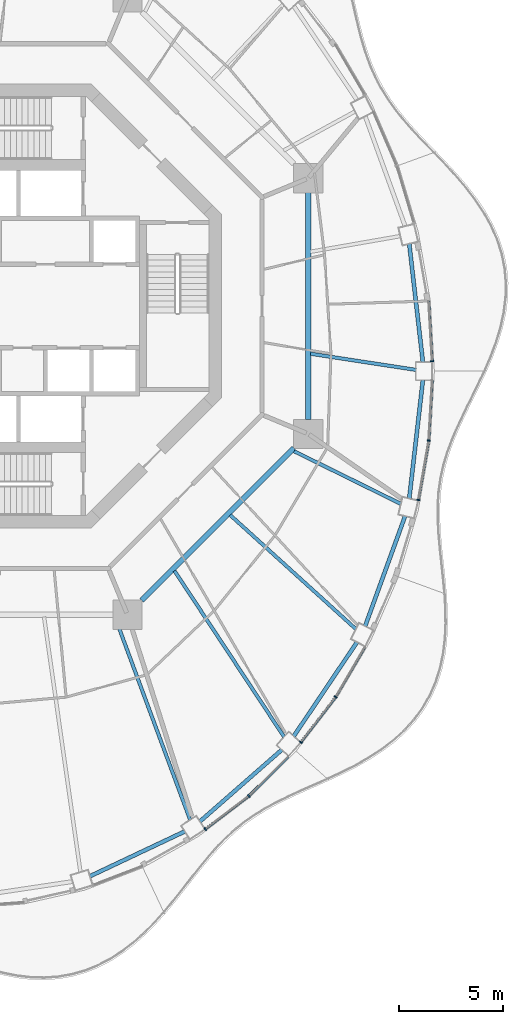
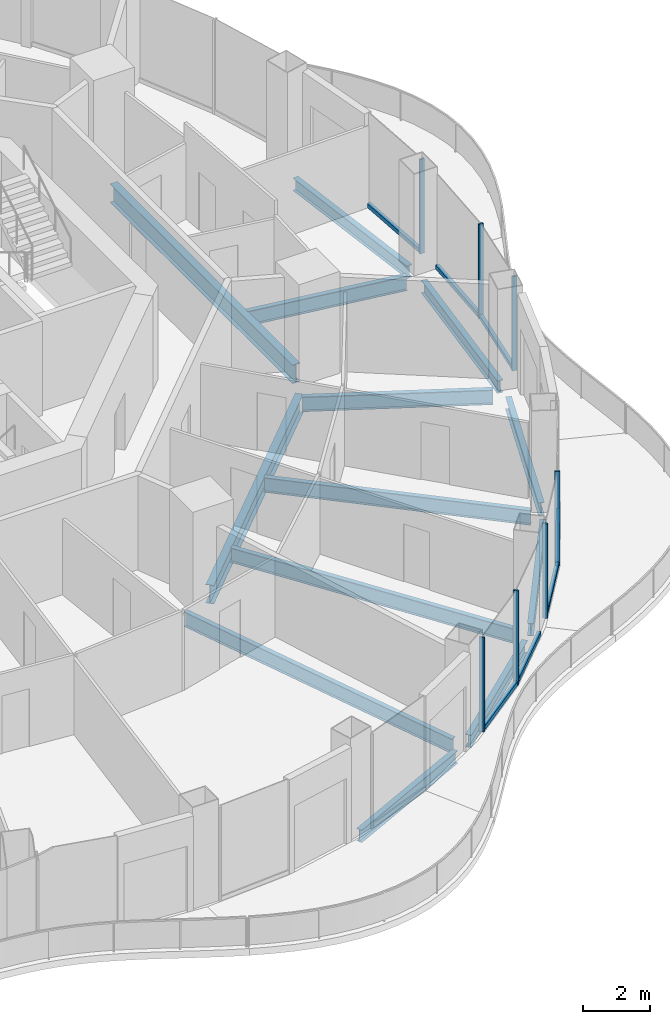
# One storey, part 4 of 17: 14 members, 13 beams, 7 elements without a shape of their own.
"""IFC4 building model written with IfcOpenShell, lengths in metres."""

from ifc_helpers import new_model, si_unit, direction, frame, origin, origin_2d, place, context, subcontext, project, spatial, rectangle, i_section, extrude, material, layer, layer_set, material_profile, profile_set, type_object, element, aggregate, save


model = new_model("IFC4")

# Units and contexts
model_context = context("Model", 3, precision=1e-05, world=origin(), true_north=direction((0.0, 1.0)))
body_context = subcontext(model_context, "Body", "Model", "MODEL_VIEW")
ifc_project = project(units=[si_unit("LENGTHUNIT", "METRE"), si_unit("AREAUNIT", "SQUARE_METRE"), si_unit("VOLUMEUNIT", "CUBIC_METRE"), si_unit("PLANEANGLEUNIT", "RADIAN"), si_unit("MASSUNIT", "GRAM", prefix="KILO")], contexts=[model_context])

# Site, building, storey
site_placement = place(None, origin())
site = spatial("IfcSite", under=ifc_project, at=site_placement, CompositionType="ELEMENT")
building_placement = place(site_placement, origin())
building = spatial("IfcBuilding", under=site, at=building_placement, Name="Nagisa Residences", CompositionType="ELEMENT")
storey_placement = place(building_placement, frame((0.0, 0.0, 280.699951171875)))
storey = spatial("IfcBuildingStorey", under=building, at=storey_placement, Name="L71", CompositionType="ELEMENT", Elevation=280.699951171875)

# Curtain wall, member
ifc_material_1 = material(Name="Concrete-coloured aluminium curtain wall system", Category="concrete")
ifc_layer = layer(ifc_material_1, 0.159912109375)
ifc_layer_set = layer_set([ifc_layer], Name="CW1 CURTAIN WALL")
curtain_wall_type = type_object("IfcCurtainWallType", Name="CW1 CURTAIN WALL", PredefinedType="NOTDEFINED", material=ifc_layer_set)
curtain_wall_1_placement = place(storey_placement, origin())
curtain_wall_1 = element("IfcCurtainWall", 1, at=curtain_wall_1_placement, inside=storey, type_object=curtain_wall_type, Name="cw:CW1:L71:00", PredefinedType="NOTDEFINED")
ifc_material_2 = material(Name="Concrete-coloured aluminium", Category="concrete")
ifc_material_profile_1 = material_profile(ifc_material_2, rectangle(XDim=0.159912109375, YDim=0.06005859375, at=origin_2d()), Name="CW1 MULLION 160x60")
ifc_profile_set_1 = profile_set([ifc_material_profile_1], Name="Concrete-coloured aluminium")
member_type_1 = type_object("IfcMemberType", Name="CW1 MULLION 160x60", PredefinedType="MULLION", material=ifc_profile_set_1)
member_1_placement = place(storey_placement, frame((20.712646484375, -2.64306640625, 0.0), z_axis=(0.0, 0.0, 1.0), x_axis=(-0.998345305184, -0.057503492216, 0.0)))
member_1 = element("IfcMember", 2, at=member_1_placement, type_object=member_type_1, Name="CW1 mullion", PredefinedType="MULLION", context=body_context, shape_type="SweptSolid", body=[
    extrude(rectangle(XDim=0.159912109375, YDim=0.06005859375, at=origin_2d()), origin(), (0.0, 0.0, 1.0), 3.43994140625),
])

curtain_wall_2_placement = place(storey_placement, origin())
curtain_wall_2 = element("IfcCurtainWall", 3, at=curtain_wall_2_placement, inside=storey, type_object=curtain_wall_type, Name="cw:CW1:L71:40", PredefinedType="NOTDEFINED")
member_2_placement = place(storey_placement, frame((9.84375, -25.054931640625, 0.0), z_axis=(0.0, 0.0, 1.0), x_axis=(-0.605255421737, 0.79603132756, 0.0)))
member_2 = element("IfcMember", 4, at=member_2_placement, type_object=member_type_1, Name="CW1 mullion", PredefinedType="MULLION", context=body_context, shape_type="SweptSolid", body=[
    extrude(rectangle(XDim=0.159912109375, YDim=0.06005859375, at=origin_2d()), origin(), (0.0, 0.0, 1.0), 3.43994140625),
])

curtain_wall_3_placement = place(storey_placement, origin())
curtain_wall_3 = element("IfcCurtainWall", 5, at=curtain_wall_3_placement, inside=storey, type_object=curtain_wall_type, Name="cw:CW1:L71:41", PredefinedType="NOTDEFINED")
member_3_placement = place(storey_placement, frame((11.934814453125, -23.460693359375, 0.0), z_axis=(0.0, 0.0, 1.0), x_axis=(-0.706376885714, 0.707835924016, 0.0)))
member_3 = element("IfcMember", 6, at=member_3_placement, type_object=member_type_1, Name="CW1 mullion", PredefinedType="MULLION", context=body_context, shape_type="SweptSolid", body=[
    extrude(rectangle(XDim=0.159912109375, YDim=0.06005859375, at=origin_2d()), origin(), (0.0, 0.0, 1.0), 3.43994140625),
])

curtain_wall_4_placement = place(storey_placement, origin())
curtain_wall_4 = element("IfcCurtainWall", 7, at=curtain_wall_4_placement, inside=storey, type_object=curtain_wall_type, Name="cw:CW1:L71:42", PredefinedType="NOTDEFINED")
member_4_placement = place(storey_placement, frame((14.42431640625, -20.8896484375, 0.0), z_axis=(0.0, 0.0, 1.0), x_axis=(-0.792070340816, 0.610429828235, 0.0)))
member_4 = element("IfcMember", 8, at=member_4_placement, type_object=member_type_1, Name="CW1 mullion", PredefinedType="MULLION", context=body_context, shape_type="SweptSolid", body=[
    extrude(rectangle(XDim=0.159912109375, YDim=0.06005859375, at=origin_2d()), origin(), (0.0, 0.0, 1.0), 3.43994140625),
])

curtain_wall_5_placement = place(storey_placement, origin())
curtain_wall_5 = element("IfcCurtainWall", 9, at=curtain_wall_5_placement, inside=storey, type_object=curtain_wall_type, Name="cw:CW1:L71:43", PredefinedType="NOTDEFINED")
member_5_placement = place(storey_placement, frame((16.091796875, -18.720947265625, 0.0), z_axis=(0.0, 0.0, 1.0), x_axis=(-0.862328898214, 0.506348567002, 0.0)))
member_5 = element("IfcMember", 10, at=member_5_placement, type_object=member_type_1, Name="CW1 mullion", PredefinedType="MULLION", context=body_context, shape_type="SweptSolid", body=[
    extrude(rectangle(XDim=0.159912109375, YDim=0.06005859375, at=origin_2d()), origin(), (0.0, 0.0, 1.0), 3.43994140625),
])

curtain_wall_6_placement = place(storey_placement, origin())
curtain_wall_6 = element("IfcCurtainWall", 11, at=curtain_wall_6_placement, inside=storey, type_object=curtain_wall_type, Name="cw:CW1:L71:46", PredefinedType="NOTDEFINED")
member_6_placement = place(storey_placement, frame((20.052978515625, -9.29296875, 0.0), z_axis=(0.0, 0.0, 1.0), x_axis=(-0.985063604377, 0.172190868898, 0.0)))
member_6 = element("IfcMember", 12, at=member_6_placement, type_object=member_type_1, Name="CW1 mullion", PredefinedType="MULLION", context=body_context, shape_type="SweptSolid", body=[
    extrude(rectangle(XDim=0.159912109375, YDim=0.06005859375, at=origin_2d()), origin(), (0.0, 0.0, 1.0), 3.43994140625),
])

curtain_wall_7_placement = place(storey_placement, origin())
curtain_wall_7 = element("IfcCurtainWall", 13, at=curtain_wall_7_placement, inside=storey, type_object=curtain_wall_type, Name="cw:CW1:L71:47", PredefinedType="NOTDEFINED")
member_7_placement = place(storey_placement, frame((20.54833984375, -6.44287109375, 0.0), z_axis=(0.0, 0.0, 1.0), x_axis=(-0.998345305184, 0.057503492216, 0.0)))
member_7 = element("IfcMember", 14, at=member_7_placement, type_object=member_type_1, Name="CW1 mullion", PredefinedType="MULLION", context=body_context, shape_type="SweptSolid", body=[
    extrude(rectangle(XDim=0.159912109375, YDim=0.06005859375, at=origin_2d()), origin(), (0.0, 0.0, 1.0), 3.43994140625),
])

# Member
ifc_material_3 = material(Name="Concrete-coloured aluminium", Category="concrete")
ifc_material_profile_2 = material_profile(ifc_material_3, rectangle(XDim=0.1201171875, YDim=0.14990234375, at=origin_2d()), Name="CW1 TRANSOM 120x150")
ifc_profile_set_2 = profile_set([ifc_material_profile_2], Name="Concrete-coloured aluminium")
member_type_2 = type_object("IfcMemberType", Name="CW1 TRANSOM 120x150", PredefinedType="USERDEFINED", material=ifc_profile_set_2)
member_8_placement = place(storey_placement, frame((20.71435546875, -2.673095703125, 0.074951171875), z_axis=(-0.057529123486, 0.998343828524, 0.0), x_axis=(-0.998343828524, -0.057529123486, 0.0)))
member_8 = element("IfcMember", 15, at=member_8_placement, type_object=member_type_2, Name="CW1 transom", ObjectType="TRANSOM", PredefinedType="USERDEFINED", context=body_context, shape_type="SweptSolid", body=[
    extrude(rectangle(XDim=0.1201171875, YDim=0.14990234375, at=origin_2d()), origin(), (0.0, 0.0, 1.0), 2.91552734375),
])

aggregate(curtain_wall_1, [member_1, member_8])

member_9_placement = place(storey_placement, frame((9.81982421875, -25.0732421875, 0.074951171875), z_axis=(0.796010739377, 0.605282498339, 0.0), x_axis=(-0.605282498339, 0.796010739377, 0.0)))
member_9 = element("IfcMember", 16, at=member_9_placement, type_object=member_type_2, Name="CW1 transom", ObjectType="TRANSOM", PredefinedType="USERDEFINED", context=body_context, shape_type="SweptSolid", body=[
    extrude(rectangle(XDim=0.1201171875, YDim=0.14990234375, at=origin_2d()), origin(), (0.0, 0.0, 1.0), 2.640625),
])

aggregate(curtain_wall_2, [member_2, member_9])

member_10_placement = place(storey_placement, frame((11.91357421875, -23.48193359375, 0.074951171875), z_axis=(0.707876975297, 0.706335747251, 0.0), x_axis=(-0.706335747251, 0.707876975297, 0.0)))
member_10 = element("IfcMember", 17, at=member_10_placement, type_object=member_type_2, Name="CW1 transom", ObjectType="TRANSOM", PredefinedType="USERDEFINED", context=body_context, shape_type="SweptSolid", body=[
    extrude(rectangle(XDim=0.1201171875, YDim=0.14990234375, at=origin_2d()), origin(), (0.0, 0.0, 1.0), 2.69287109375),
])

aggregate(curtain_wall_3, [member_3, member_10])

member_11_placement = place(storey_placement, frame((14.406005859375, -20.913330078125, 0.074951171875), z_axis=(0.610432336622, 0.792068407656, 0.0), x_axis=(-0.792068407656, 0.610432336622, 0.0)))
member_11 = element("IfcMember", 18, at=member_11_placement, type_object=member_type_2, Name="CW1 transom", ObjectType="TRANSOM", PredefinedType="USERDEFINED", context=body_context, shape_type="SweptSolid", body=[
    extrude(rectangle(XDim=0.1201171875, YDim=0.14990234375, at=origin_2d()), origin(), (0.0, 0.0, 1.0), 2.74609375),
])

aggregate(curtain_wall_4, [member_4, member_11])

member_12_placement = place(storey_placement, frame((16.07666015625, -18.74658203125, 0.074951171875), z_axis=(0.506371364425, 0.862315511452, 0.0), x_axis=(-0.862315511452, 0.506371364425, 0.0)))
member_12 = element("IfcMember", 19, at=member_12_placement, type_object=member_type_2, Name="CW1 transom", ObjectType="TRANSOM", PredefinedType="USERDEFINED", context=body_context, shape_type="SweptSolid", body=[
    extrude(rectangle(XDim=0.1201171875, YDim=0.14990234375, at=origin_2d()), origin(), (0.0, 0.0, 1.0), 2.79638671875),
])

aggregate(curtain_wall_5, [member_5, member_12])

member_13_placement = place(storey_placement, frame((20.0478515625, -9.32275390625, 0.074951171875), z_axis=(0.172182411767, 0.985065082661, 0.0), x_axis=(-0.985065082661, 0.172182411767, 0.0)))
member_13 = element("IfcMember", 20, at=member_13_placement, type_object=member_type_2, Name="CW1 transom", ObjectType="TRANSOM", PredefinedType="USERDEFINED", context=body_context, shape_type="SweptSolid", body=[
    extrude(rectangle(XDim=0.1201171875, YDim=0.14990234375, at=origin_2d()), origin(), (0.0, 0.0, 1.0), 2.902587890625),
])

aggregate(curtain_wall_6, [member_6, member_13])

member_14_placement = place(storey_placement, frame((20.546630859375, -6.472900390625, 0.074951171875), z_axis=(0.057529123486, 0.998343828524, 0.0), x_axis=(-0.998343828524, 0.057529123486, 0.0)))
member_14 = element("IfcMember", 21, at=member_14_placement, type_object=member_type_2, Name="CW1 transom", ObjectType="TRANSOM", PredefinedType="USERDEFINED", context=body_context, shape_type="SweptSolid", body=[
    extrude(rectangle(XDim=0.1201171875, YDim=0.14990234375, at=origin_2d()), origin(), (0.0, 0.0, 1.0), 2.91552734375),
])

aggregate(curtain_wall_7, [member_7, member_14])

# Beams
ifc_material_4 = material(Name="Steel ASTM A572 Gr 50", Category="steel")
ifc_material_profile_3 = material_profile(ifc_material_4, i_section(OverallWidth=0.2529296875, OverallDepth=0.677978515625, WebThickness=0.01171875, FlangeThickness=0.016357421875, at=origin_2d()), Name="W690x125")
ifc_profile_set_3 = profile_set([ifc_material_profile_3], Name="Steel ASTM A572 Gr 50")
beam_type_1 = type_object("IfcBeamType", Name="Inner ring beam W690x125", PredefinedType="BEAM", material=ifc_profile_set_3)
beam_1_placement = place(storey_placement, frame((6.808837890625, -14.09619140625, -0.598876953125), z_axis=(0.707106781187, 0.707106781187, 0.0), x_axis=(-0.707106781187, 0.707106781187, 0.0)))
element("IfcBeam", 22, at=beam_1_placement, inside=storey, type_object=beam_type_1, Name="beam:L71:ib7", PredefinedType="BEAM", context=body_context, shape_type="SweptSolid", body=[
    extrude(i_section(OverallWidth=0.2529296875, OverallDepth=0.677978515625, WebThickness=0.01171875, FlangeThickness=0.016357421875, at=origin_2d()), origin(), (0.0, 0.0, 1.0), 10.305908203125),
])
beam_2_placement = place(storey_placement, frame((14.781982421875, -5.44287109375, -0.598876953125), z_axis=(0.0, 1.0, 0.0), x_axis=(-1.0, 0.0, 0.0)))
element("IfcBeam", 23, at=beam_2_placement, inside=storey, type_object=beam_type_1, Name="beam:L71:ib8", PredefinedType="BEAM", context=body_context, shape_type="SweptSolid", body=[
    extrude(i_section(OverallWidth=0.2529296875, OverallDepth=0.677978515625, WebThickness=0.01171875, FlangeThickness=0.016357421875, at=origin_2d()), origin(), (0.0, 0.0, 1.0), 10.8857421875),
])
ifc_material_5 = material(Name="Steel ASTM A572 Gr 50", Category="steel")
ifc_material_profile_4 = material_profile(ifc_material_5, i_section(OverallWidth=0.18994140625, OverallDepth=0.45703125, WebThickness=0.009033203125, FlangeThickness=0.014404296875, at=origin_2d()), Name="W460x74")
ifc_profile_set_4 = profile_set([ifc_material_profile_4], Name="Steel ASTM A572 Gr 50")
beam_type_2 = type_object("IfcBeamType", Name="Perimeter ring beam W460x74", PredefinedType="BEAM", material=ifc_profile_set_4)
beam_3_placement = place(storey_placement, frame((20.270263671875, -2.6875, -0.488525390625), z_axis=(-0.114593271741, 0.993412493414, 0.0), x_axis=(-0.993412493414, -0.114593271741, 0.0)))
element("IfcBeam", 24, at=beam_3_placement, inside=storey, type_object=beam_type_2, Name="beam:L71:pb01", PredefinedType="BEAM", context=body_context, shape_type="SweptSolid", body=[
    extrude(i_section(OverallWidth=0.18994140625, OverallDepth=0.45703125, WebThickness=0.009033203125, FlangeThickness=0.014404296875, at=origin_2d()), origin(), (0.0, 0.0, 1.0), 5.709716796875),
])
beam_4_placement = place(storey_placement, frame((4.318115234375, -27.311767578125, -0.488525390625), z_axis=(0.904115893837, 0.427287316113, 0.0), x_axis=(-0.427287316113, 0.904115893837, 0.0)))
element("IfcBeam", 25, at=beam_4_placement, inside=storey, type_object=beam_type_2, Name="beam:L71:pb20", PredefinedType="BEAM", context=body_context, shape_type="SweptSolid", body=[
    extrude(i_section(OverallWidth=0.18994140625, OverallDepth=0.45703125, WebThickness=0.009033203125, FlangeThickness=0.014404296875, at=origin_2d()), origin(), (0.0, 0.0, 1.0), 5.031494140625),
])
beam_5_placement = place(storey_placement, frame((9.586669921875, -24.690185546875, -0.488525390625), z_axis=(0.752385480596, 0.658723074279, 0.0), x_axis=(-0.658723074279, 0.752385480596, 0.0)))
element("IfcBeam", 26, at=beam_5_placement, inside=storey, type_object=beam_type_2, Name="beam:L71:pb21", PredefinedType="BEAM", context=body_context, shape_type="SweptSolid", body=[
    extrude(i_section(OverallWidth=0.18994140625, OverallDepth=0.45703125, WebThickness=0.009033203125, FlangeThickness=0.014404296875, at=origin_2d()), origin(), (0.0, 0.0, 1.0), 5.220947265625),
])
beam_6_placement = place(storey_placement, frame((14.083251953125, -20.605224609375, -0.488525390625), z_axis=(0.558045612854, 0.829810275891, 0.0), x_axis=(-0.829810275891, 0.558045612854, 0.0)))
element("IfcBeam", 27, at=beam_6_placement, inside=storey, type_object=beam_type_2, Name="beam:L71:pb22", PredefinedType="BEAM", context=body_context, shape_type="SweptSolid", body=[
    extrude(i_section(OverallWidth=0.18994140625, OverallDepth=0.45703125, WebThickness=0.009033203125, FlangeThickness=0.014404296875, at=origin_2d()), origin(), (0.0, 0.0, 1.0), 5.432373046875),
])
beam_7_placement = place(storey_placement, frame((17.50439453125, -15.330322265625, -0.488525390625), z_axis=(0.341211850477, 0.93998642176, 0.0), x_axis=(-0.93998642176, 0.341211850477, 0.0)))
element("IfcBeam", 28, at=beam_7_placement, inside=storey, type_object=beam_type_2, Name="beam:L71:pb23", PredefinedType="BEAM", context=body_context, shape_type="SweptSolid", body=[
    extrude(i_section(OverallWidth=0.18994140625, OverallDepth=0.45703125, WebThickness=0.009033203125, FlangeThickness=0.014404296875, at=origin_2d()), origin(), (0.0, 0.0, 1.0), 5.609619140625),
])
beam_8_placement = place(storey_placement, frame((19.615966796875, -9.219970703125, -0.488525390625), z_axis=(0.114593271741, 0.993412493414, 0.0), x_axis=(-0.993412493414, 0.114593271741, 0.0)))
element("IfcBeam", 29, at=beam_8_placement, inside=storey, type_object=beam_type_2, Name="beam:L71:pb24", PredefinedType="BEAM", context=body_context, shape_type="SweptSolid", body=[
    extrude(i_section(OverallWidth=0.18994140625, OverallDepth=0.45703125, WebThickness=0.009033203125, FlangeThickness=0.014404296875, at=origin_2d()), origin(), (0.0, 0.0, 1.0), 5.709716796875),
])
ifc_material_6 = material(Name="Steel ASTM A572 Gr 50", Category="steel")
ifc_material_profile_5 = material_profile(ifc_material_6, i_section(OverallWidth=0.166015625, OverallDepth=0.534912109375, WebThickness=0.01025390625, FlangeThickness=0.0166015625, at=origin_2d()), Name="W530x85")
ifc_profile_set_5 = profile_set([ifc_material_profile_5], Name="Steel ASTM A572 Gr 50")
beam_type_3 = type_object("IfcBeamType", Name="Radial beam W530x85", PredefinedType="BEAM", material=ifc_profile_set_5)
beam_9_placement = place(storey_placement, frame((19.939697265625, -3.059326171875, -0.52734375), z_axis=(-0.988434580655, 0.151647880849, 0.0), x_axis=(-0.151647880849, -0.988434580655, 0.0)))
element("IfcBeam", 30, at=beam_9_placement, inside=storey, type_object=beam_type_3, Name="beam:L71:rb01", PredefinedType="BEAM", context=body_context, shape_type="SweptSolid", body=[
    extrude(i_section(OverallWidth=0.166015625, OverallDepth=0.534912109375, WebThickness=0.01025390625, FlangeThickness=0.0166015625, at=origin_2d()), origin(), (0.0, 0.0, 1.0), 5.10986328125),
])
beam_10_placement = place(storey_placement, frame((9.124267578125, -24.610107421875, -0.52734375), z_axis=(-0.347626513472, 0.93763308769, 0.0), x_axis=(-0.93763308769, -0.347626513472, 0.0)))
element("IfcBeam", 31, at=beam_10_placement, inside=storey, type_object=beam_type_3, Name="beam:L71:rb21", PredefinedType="BEAM", context=body_context, shape_type="SweptSolid", body=[
    extrude(i_section(OverallWidth=0.166015625, OverallDepth=0.534912109375, WebThickness=0.01025390625, FlangeThickness=0.0166015625, at=origin_2d()), origin(), (0.0, 0.0, 1.0), 10.36669921875),
])
beam_11_placement = place(storey_placement, frame((13.623779296875, -20.6357421875, -0.52734375), z_axis=(-0.550958197916, 0.834532841864, 0.0), x_axis=(-0.834532841864, -0.550958197916, 0.0)))
element("IfcBeam", 32, at=beam_11_placement, inside=storey, type_object=beam_type_3, Name="beam:L71:rb22", PredefinedType="BEAM", context=body_context, shape_type="SweptSolid", body=[
    extrude(i_section(OverallWidth=0.166015625, OverallDepth=0.534912109375, WebThickness=0.01025390625, FlangeThickness=0.0166015625, at=origin_2d()), origin(), (0.0, 0.0, 1.0), 9.52978515625),
])
beam_12_placement = place(storey_placement, frame((17.064208984375, -15.47265625, -0.52734375), z_axis=(-0.740818788558, 0.671704937096, 0.0), x_axis=(-0.671704937096, -0.740818788558, 0.0)))
element("IfcBeam", 33, at=beam_12_placement, inside=storey, type_object=beam_type_3, Name="beam:L71:rb23", PredefinedType="BEAM", context=body_context, shape_type="SweptSolid", body=[
    extrude(i_section(OverallWidth=0.166015625, OverallDepth=0.534912109375, WebThickness=0.01025390625, FlangeThickness=0.0166015625, at=origin_2d()), origin(), (0.0, 0.0, 1.0), 8.128173828125),
])
beam_13_placement = place(storey_placement, frame((19.216064453125, -9.4775390625, -0.52734375), z_axis=(-0.896862727732, 0.442308995618, 0.0), x_axis=(-0.442308995618, -0.896862727732, 0.0)))
element("IfcBeam", 34, at=beam_13_placement, inside=storey, type_object=beam_type_3, Name="beam:L71:rb24", PredefinedType="BEAM", context=body_context, shape_type="SweptSolid", body=[
    extrude(i_section(OverallWidth=0.166015625, OverallDepth=0.534912109375, WebThickness=0.01025390625, FlangeThickness=0.0166015625, at=origin_2d()), origin(), (0.0, 0.0, 1.0), 5.702392578125),
])

save(model, "model.ifc")
